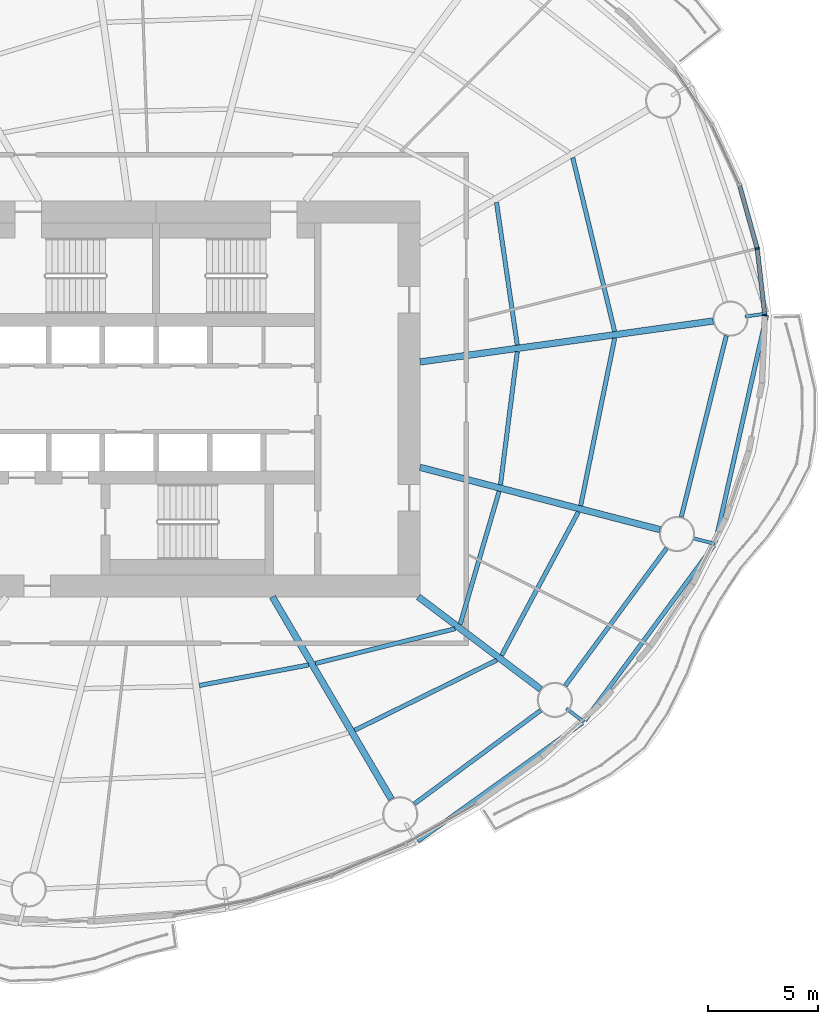
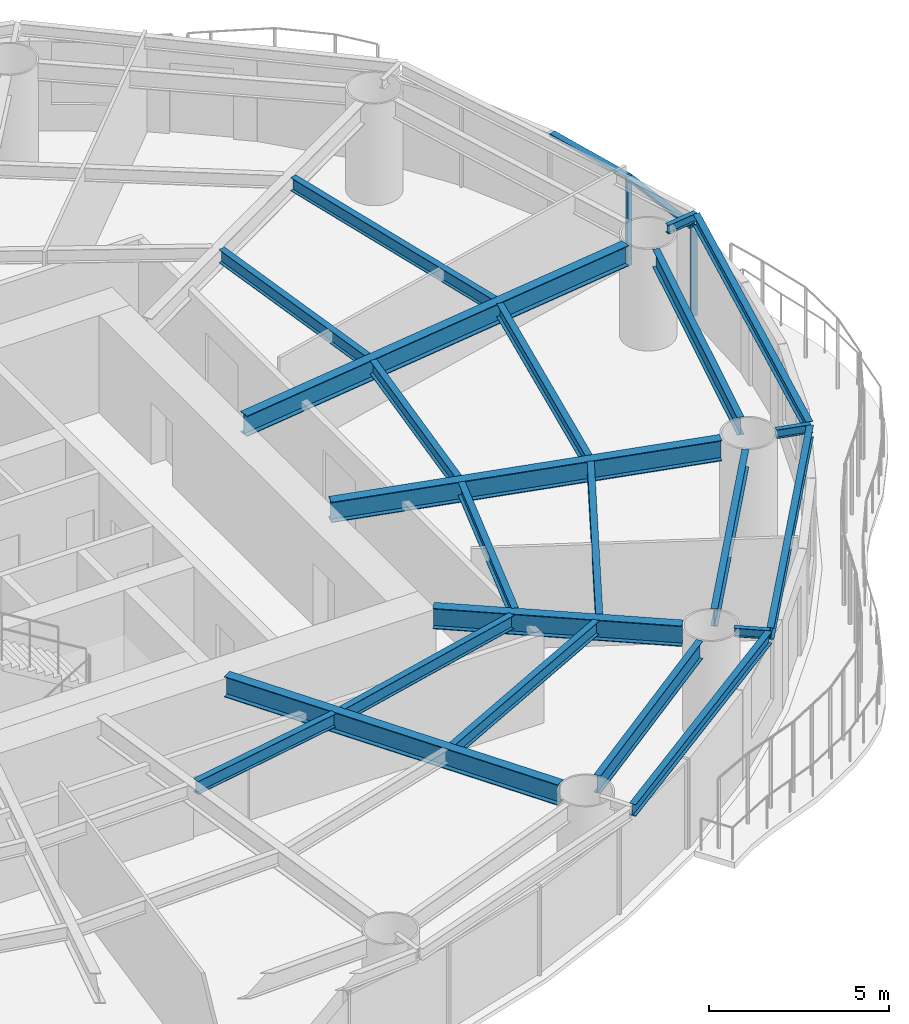
# One storey, part 4 of 16: 22 beams, 4 members, 2 elements without a shape of their own.
"""IFC4 building model written with IfcOpenShell, lengths in metres."""

import ifcopenshell
import ifcopenshell.guid

model = None  # the IFC model being written
_history = None  # IfcOwnerHistory: only IFC2X3 demands one
_inside = {}  # id of a spatial element -> (the spatial element, [elements in it])
_under = {}  # id of a project, library or spatial element -> (it, [spatial elements below it])
_declared = {}  # id of a project -> (the project, [libraries it declares])
_typed = {}  # id of a type object -> (the type object, [elements of that type])
_made_of = {}  # id of a material, layer set ... -> (it, [elements and type objects made of it])


def new_model(schema):
    """Start an empty IFC model of exactly this schema.

    Asked for "IFC4X3", IfcOpenShell would pick the latest addendum, in which some entities
    have other attributes; the version numbers below select the first issue.
    IFC2X3 requires an IfcOwnerHistory on every rooted entity: one is made here for all.
    """
    global model, _history
    if schema == "IFC4X3":
        model = ifcopenshell.file(schema_version=(4, 3, 0, 0))
    else:
        model = ifcopenshell.file(schema=schema)
    _inside.clear()
    _under.clear()
    _declared.clear()
    _typed.clear()
    _made_of.clear()
    _history = None
    if model.schema == "IFC2X3":
        org = make("IfcOrganization", Name="unknown")
        user = make(
            "IfcPersonAndOrganization",
            ThePerson=make("IfcPerson", FamilyName="unknown"),
            TheOrganization=org,
        )
        app = make(
            "IfcApplication",
            ApplicationDeveloper=org,
            Version="unknown",
            ApplicationFullName="unknown",
            ApplicationIdentifier="unknown",
        )
        _history = make(
            "IfcOwnerHistory",
            OwningUser=user,
            OwningApplication=app,
            ChangeAction="ADDED",
            CreationDate=0,
        )
    return model


def make(cls, **values):
    """One entity of the class cls with the attributes given. An attribute that is None is left unset."""
    return model.create_entity(
        cls, **{name: value for name, value in values.items() if value is not None}
    )


def rooted(cls, **values):
    """An entity with a GlobalId (a new one), such as an element, a storey or a relation."""
    return make(cls, GlobalId=ifcopenshell.guid.new(), OwnerHistory=_history, **values)


def si_unit(unit_type, name, prefix=None):
    """IfcSIUnit, for example si_unit("LENGTHUNIT", "METRE", prefix="MILLI")."""
    return make("IfcSIUnit", UnitType=unit_type, Prefix=prefix, Name=name)


def assignment(units):
    """IfcUnitAssignment: the units of a project."""
    return None if units is None else make("IfcUnitAssignment", Units=units)


def point(xyz):
    """IfcCartesianPoint."""
    return None if xyz is None else make("IfcCartesianPoint", Coordinates=xyz)


def direction(xyz):
    """IfcDirection."""
    return None if xyz is None else make("IfcDirection", DirectionRatios=xyz)


def frame(location, z_axis=None, x_axis=None):
    """IfcAxis2Placement3D, a coordinate frame: its origin and axes. An axis left out is left unset."""
    return make(
        "IfcAxis2Placement3D",
        Location=point(location),
        Axis=direction(z_axis),
        RefDirection=direction(x_axis),
    )


def frame_2d(location, x_axis=None):
    """IfcAxis2Placement2D, a coordinate frame in the plane: its origin and x axis."""
    return make(
        "IfcAxis2Placement2D", Location=point(location), RefDirection=direction(x_axis)
    )


def origin():
    """The frame at (0, 0, 0) with its axes left unset."""
    return frame((0.0, 0.0, 0.0))


def origin_2d():
    """The frame at (0, 0) in the plane with its x axis left unset."""
    return frame_2d((0.0, 0.0))


def place(relative_to, where):
    """IfcLocalPlacement: puts the frame where relative to a parent placement (None: the world)."""
    return make(
        "IfcLocalPlacement", PlacementRelTo=relative_to, RelativePlacement=where
    )


def context(
    kind, dimensions, precision=None, world=None, true_north=None, identifier=None
):
    """IfcGeometricRepresentationContext, for example the 3D "Model" context."""
    return make(
        "IfcGeometricRepresentationContext",
        ContextIdentifier=identifier,
        ContextType=kind,
        CoordinateSpaceDimension=dimensions,
        Precision=precision,
        WorldCoordinateSystem=world,
        TrueNorth=true_north,
    )


def subcontext(parent, identifier, kind, view, scale=None):
    """IfcGeometricRepresentationSubContext, for example "Body" below "Model"."""
    return make(
        "IfcGeometricRepresentationSubContext",
        ContextIdentifier=identifier,
        ContextType=kind,
        ParentContext=parent,
        TargetScale=scale,
        TargetView=view,
    )


def project(units=None, contexts=None):
    """IfcProject with its units and contexts."""
    return rooted(
        "IfcProject",
        Name="project",
        RepresentationContexts=contexts,
        UnitsInContext=assignment(units),
    )


def spatial(cls, under=None, at=None, **own):
    """A site, building, storey or space (cls), placed at a placement, below another one or the project."""
    s = rooted(cls, ObjectPlacement=at, **own)
    if under is not None:
        _under.setdefault(under.id(), (under, []))[1].append(s)
    return s


def profile(cls, at=None, kind="AREA", **sizes):
    """A parametric profile (cls). Its sizes go by their IFC names, for example OverallWidth=200.0."""
    return make(cls, ProfileType=kind, Position=at, **sizes)


def rectangle(**sizes):
    """IfcRectangleProfileDef."""
    return profile("IfcRectangleProfileDef", **sizes)


def i_section(**sizes):
    """IfcIShapeProfileDef."""
    return profile("IfcIShapeProfileDef", **sizes)


def extrude(swept, where, along, depth):
    """IfcExtrudedAreaSolid: the profile swept, set in the frame where, extruded along a direction by depth."""
    return make(
        "IfcExtrudedAreaSolid",
        SweptArea=swept,
        Position=where,
        ExtrudedDirection=direction(along),
        Depth=depth,
    )


def shape(context_of_items, identifier, shape_type, items):
    """IfcShapeRepresentation: the items that make up one representation, for example the "Body"."""
    return make(
        "IfcShapeRepresentation",
        ContextOfItems=context_of_items,
        RepresentationIdentifier=identifier,
        RepresentationType=shape_type,
        Items=items,
    )


def material(Name=None, Category=None):
    """IfcMaterial."""
    return make("IfcMaterial", Name=Name, Category=Category)


def material_profile(
    of_material, cross_section, Name=None, Category=None, Priority=None
):
    """IfcMaterialProfile: a cross section and its material."""
    return make(
        "IfcMaterialProfile",
        Name=Name,
        Material=of_material,
        Profile=cross_section,
        Priority=Priority,
        Category=Category,
    )


def profile_set(profiles, Name=None, composite=None):
    """IfcMaterialProfileSet."""
    return make(
        "IfcMaterialProfileSet",
        Name=Name,
        MaterialProfiles=profiles,
        CompositeProfile=composite,
    )


def made_of(thing, what):
    """Note that an element or type object is made of a material, layer set ...; save() writes the relation."""
    if what is not None:
        _made_of.setdefault(what.id(), (what, []))[1].append(thing)
    return thing


def type_object(cls, material=None, **own):
    """A type object (cls), such as IfcWallType, which elements share."""
    return made_of(rooted(cls, **own), material)


def element(
    cls,
    number,
    at=None,
    inside=None,
    cuts=None,
    type_object=None,
    material=None,
    context=None,
    identifier="Body",
    shape_type=None,
    held_by="IfcProductDefinitionShape",
    body=None,
    shapes=None,
    **own,
):
    """One element of the class cls, such as IfcWall. Its Tag is "e" and its number.

    at: its placement. inside: the storey or other place that contains it. cuts: it is an
    opening in that element (IfcRelVoidsElement). A single representation is given by context,
    identifier, shape_type and body (its items); several are given by shapes. held_by: the class
    of the entity that holds the representations. save() writes the other relations.
    """
    e = rooted(cls, Tag="e%d" % number, ObjectPlacement=at, **own)
    if body is not None:
        shapes = [shape(context, identifier, shape_type, body)]
    if shapes is not None:
        e.Representation = make(held_by, Representations=shapes)
    if inside is not None:
        _inside.setdefault(inside.id(), (inside, []))[1].append(e)
    if cuts is not None:
        rooted(
            "IfcRelVoidsElement", RelatingBuildingElement=cuts, RelatedOpeningElement=e
        )
    if type_object is not None:
        _typed.setdefault(type_object.id(), (type_object, []))[1].append(e)
    return made_of(e, material)


def aggregate(whole, parts):
    """IfcRelAggregates: a whole, such as a stair, and the parts it consists of."""
    return rooted("IfcRelAggregates", RelatingObject=whole, RelatedObjects=parts)


def save(model, path):
    """Write the relations noted so far, then the file.

    IfcRelAggregates (storeys below a building ...), IfcRelContainedInSpatialStructure (elements
    in a storey), IfcRelDefinesByType, IfcRelAssociatesMaterial and IfcRelDeclares: one each for
    every whole, place, type object, material and project.
    """
    for whole, parts in _under.values():
        aggregate(whole, parts)
    for where, things in _inside.values():
        rooted(
            "IfcRelContainedInSpatialStructure",
            RelatedElements=things,
            RelatingStructure=where,
        )
    for kind, things in _typed.values():
        rooted("IfcRelDefinesByType", RelatedObjects=things, RelatingType=kind)
    for what, things in _made_of.values():
        rooted("IfcRelAssociatesMaterial", RelatedObjects=things, RelatingMaterial=what)
    for by, libraries in _declared.values():
        rooted("IfcRelDeclares", RelatingContext=by, RelatedDefinitions=libraries)
    model.write(path)


model = new_model("IFC4")

# Units and contexts
model_context = context("Model", 3, precision=1e-05, world=origin(), true_north=direction((0.0, 1.0)))
body_context = subcontext(model_context, "Body", "Model", "MODEL_VIEW")
ifc_project = project(units=[si_unit("LENGTHUNIT", "METRE"), si_unit("AREAUNIT", "SQUARE_METRE"), si_unit("VOLUMEUNIT", "CUBIC_METRE"), si_unit("PLANEANGLEUNIT", "RADIAN"), si_unit("MASSUNIT", "GRAM", prefix="KILO")], contexts=[model_context])

# Site, building, storey
site_placement = place(None, origin())
site = spatial("IfcSite", under=ifc_project, at=site_placement, CompositionType="ELEMENT")
building_placement = place(site_placement, origin())
building = spatial("IfcBuilding", under=site, at=building_placement, Name="Vermilion Reach Broadcast Tower", CompositionType="ELEMENT")
storey_placement = place(building_placement, frame((0.0, 0.0, 113.800048828125)))
storey = spatial("IfcBuildingStorey", under=building, at=storey_placement, Name="L26", CompositionType="ELEMENT", Elevation=113.800048828125)

# Beams
ifc_material_1 = material(Name="Steel S355J2", Category="steel")
ifc_material_profile_1 = material_profile(ifc_material_1, i_section(OverallWidth=0.199951171875, OverallDepth=0.39990234375, WebThickness=0.008056640625, FlangeThickness=0.012939453125, at=origin_2d()), Name="S355J2 HN 400x200x8x13")
ifc_profile_set_1 = profile_set([ifc_material_profile_1], Name="Steel S355J2")
beam_type_1 = type_object("IfcBeamType", Name="EB2 HN 400x200x8x13", PredefinedType="BEAM", material=ifc_profile_set_1)
beam_1_placement = place(storey_placement, frame((5.901611328125, -20.097412109375, 3.25), z_axis=(0.81207308866, 0.583555737419, 0.0), x_axis=(-0.583555737419, 0.81207308866, 0.0)))
element("IfcBeam", 1, at=beam_1_placement, inside=storey, type_object=beam_type_1, Name="Edge beam EB2-13", PredefinedType="BEAM", context=body_context, shape_type="SweptSolid", body=[
    extrude(i_section(OverallWidth=0.199951171875, OverallDepth=0.39990234375, WebThickness=0.008056640625, FlangeThickness=0.012939453125, at=origin_2d()), origin(), (0.0, 0.0, 1.0), 9.208251953125),
])
beam_2_placement = place(storey_placement, frame((13.487548828125, -14.61767578125, 3.25), z_axis=(0.593410406977, 0.804900049007, 0.0), x_axis=(-0.804900049007, 0.593410406977, 0.0)))
element("IfcBeam", 2, at=beam_2_placement, inside=storey, type_object=beam_type_1, Name="Edge beam EB2-14", PredefinedType="BEAM", context=body_context, shape_type="SweptSolid", body=[
    extrude(i_section(OverallWidth=0.199951171875, OverallDepth=0.39990234375, WebThickness=0.008056640625, FlangeThickness=0.012939453125, at=origin_2d()), origin(), (0.0, 0.0, 1.0), 9.888427734375),
])
beam_3_placement = place(storey_placement, frame((19.419921875, -6.520263671875, 3.25), z_axis=(0.219840057839, 0.975535929102, 0.0), x_axis=(-0.975535929102, 0.219840057839, 0.0)))
element("IfcBeam", 3, at=beam_3_placement, inside=storey, type_object=beam_type_1, Name="Edge beam EB2-15", PredefinedType="BEAM", context=body_context, shape_type="SweptSolid", body=[
    extrude(i_section(OverallWidth=0.199951171875, OverallDepth=0.39990234375, WebThickness=0.008056640625, FlangeThickness=0.012939453125, at=origin_2d()), origin(), (0.0, 0.0, 1.0), 10.577880859375),
])
ifc_material_2 = material(Name="Steel S355J2", Category="steel")
ifc_material_profile_2 = material_profile(ifc_material_2, i_section(OverallWidth=0.300048828125, OverallDepth=0.699951171875, WebThickness=0.012939453125, FlangeThickness=0.02392578125, at=origin_2d()), Name="S355J2 HN 700x300x13x24")
ifc_profile_set_2 = profile_set([ifc_material_profile_2], Name="Steel S355J2")
beam_type_2 = type_object("IfcBeamType", Name="G2 HN 700x300x13x24", PredefinedType="BEAM", material=ifc_profile_set_2)
beam_4_placement = place(storey_placement, frame((-0.709228515625, -9.0, 3.099853515625), z_axis=(0.506783943634, -0.862073102744, 0.0), x_axis=(0.862073102744, 0.506783943634, 0.0)))
element("IfcBeam", 4, at=beam_4_placement, inside=storey, type_object=beam_type_2, Name="Girder G2-13", PredefinedType="BEAM", context=body_context, shape_type="SweptSolid", body=[
    extrude(i_section(OverallWidth=0.300048828125, OverallDepth=0.699951171875, WebThickness=0.012939453125, FlangeThickness=0.02392578125, at=origin_2d()), origin(), (0.0, 0.0, 1.0), 10.661865234375),
])
beam_5_placement = place(storey_placement, frame((5.921630859375, -9.0, 3.099853515625), z_axis=(0.798113534072, -0.602507084382, 0.0), x_axis=(0.602507084382, 0.798113534072, 0.0)))
element("IfcBeam", 5, at=beam_5_placement, inside=storey, type_object=beam_type_2, Name="Girder G2-14", PredefinedType="BEAM", context=body_context, shape_type="SweptSolid", body=[
    extrude(i_section(OverallWidth=0.300048828125, OverallDepth=0.699951171875, WebThickness=0.012939453125, FlangeThickness=0.02392578125, at=origin_2d()), origin(), (0.0, 0.0, 1.0), 6.971923828125),
])
beam_6_placement = place(storey_placement, frame((6.0, -3.114501953125, 3.099853515625), z_axis=(0.967926079816, -0.2512351568, 0.0), x_axis=(0.2512351568, 0.967926079816, 0.0)))
element("IfcBeam", 6, at=beam_6_placement, inside=storey, type_object=beam_type_2, Name="Girder G2-15", PredefinedType="BEAM", context=body_context, shape_type="SweptSolid", body=[
    extrude(i_section(OverallWidth=0.300048828125, OverallDepth=0.699951171875, WebThickness=0.012939453125, FlangeThickness=0.02392578125, at=origin_2d()), origin(), (0.0, 0.0, 1.0), 11.265625),
])
beam_7_placement = place(storey_placement, frame((6.0, 1.67578125, 3.099853515625), z_axis=(0.990389457618, 0.138306623986, 0.0), x_axis=(-0.138306623986, 0.990389457618, 0.0)))
element("IfcBeam", 7, at=beam_7_placement, inside=storey, type_object=beam_type_2, Name="Girder G2-16", PredefinedType="BEAM", context=body_context, shape_type="SweptSolid", body=[
    extrude(i_section(OverallWidth=0.300048828125, OverallDepth=0.699951171875, WebThickness=0.012939453125, FlangeThickness=0.02392578125, at=origin_2d()), origin(), (0.0, 0.0, 1.0), 13.445556640625),
])
ifc_material_3 = material(Name="Steel S355J2", Category="steel")
ifc_material_profile_3 = material_profile(ifc_material_3, i_section(OverallWidth=0.14990234375, OverallDepth=0.300048828125, WebThickness=0.006591796875, FlangeThickness=0.009033203125, at=origin_2d()), Name="S355J2 HN 300x150x6.5x9")
ifc_profile_set_3 = profile_set([ifc_material_profile_3], Name="Steel S355J2")
beam_type_3 = type_object("IfcBeamType", Name="GS2 HN 300x150x6.5x9", PredefinedType="BEAM", material=ifc_profile_set_3)
for number, where, z_axis, x_axis, name in (
    (8, (12.64501953125, -14.075439453125, 3.300048828125), (0.798091683473, -0.602536027779, 0.0), (0.602536027779, 0.798091683473, 0.0), "Cantilever stub GS2-14"),
    (9, (18.435546875, -6.34228515625, 3.300048828125), (0.967935368459, -0.251199368006, 0.0), (0.251199368006, 0.967935368459, 0.0), "Cantilever stub GS2-15"),
    (10, (20.7724609375, 3.73876953125, 3.300048828125), (0.990374567622, 0.138413206764, 0.0), (-0.138413206764, 0.990374567622, 0.0), "Cantilever stub GS2-16"),
):
    element("IfcBeam", number, at=place(storey_placement, frame(where, z_axis=z_axis, x_axis=x_axis)), inside=storey, type_object=beam_type_3, Name=name, PredefinedType="BEAM", context=body_context, shape_type="SweptSolid", body=[
        extrude(i_section(OverallWidth=0.14990234375, OverallDepth=0.300048828125, WebThickness=0.006591796875, FlangeThickness=0.009033203125, at=origin_2d()), origin(), (0.0, 0.0, 1.0), 1.0),
    ])
ifc_material_4 = material(Name="Steel S355J2", Category="steel")
ifc_material_profile_4 = material_profile(ifc_material_4, i_section(OverallWidth=0.199951171875, OverallDepth=0.60009765625, WebThickness=0.010986328125, FlangeThickness=0.01708984375, at=origin_2d()), Name="S355J2 HN 600x200x11x17")
ifc_profile_set_4 = profile_set([ifc_material_profile_4], Name="Steel S355J2")
beam_type_4 = type_object("IfcBeamType", Name="RB2 HN 600x200x11x17", PredefinedType="BEAM", material=ifc_profile_set_4)
beam_8_placement = place(storey_placement, frame((5.74267578125, -18.4052734375, 3.14990234375), z_axis=(0.803832742218, 0.594855379515, 0.0), x_axis=(-0.594855379515, 0.803832742218, 0.0)))
element("IfcBeam", 11, at=beam_8_placement, inside=storey, type_object=beam_type_4, Name="Ring beam RB2-13", PredefinedType="BEAM", context=body_context, shape_type="SweptSolid", body=[
    extrude(i_section(OverallWidth=0.199951171875, OverallDepth=0.60009765625, WebThickness=0.010986328125, FlangeThickness=0.01708984375, at=origin_2d()), origin(), (0.0, 0.0, 1.0), 7.13916015625),
])
beam_9_placement = place(storey_placement, frame((12.59912109375, -13.03857421875, 3.14990234375), z_axis=(0.593250534798, 0.80501788984, 0.0), x_axis=(-0.80501788984, 0.593250534798, 0.0)))
element("IfcBeam", 12, at=beam_9_placement, inside=storey, type_object=beam_type_4, Name="Ring beam RB2-14", PredefinedType="BEAM", context=body_context, shape_type="SweptSolid", body=[
    extrude(i_section(OverallWidth=0.199951171875, OverallDepth=0.60009765625, WebThickness=0.010986328125, FlangeThickness=0.01708984375, at=origin_2d()), origin(), (0.0, 0.0, 1.0), 7.76220703125),
])
beam_10_placement = place(storey_placement, frame((17.871337890625, -5.369384765625, 3.14990234375), z_axis=(0.240863809798, 0.970558924089, 0.0), x_axis=(-0.970558924089, 0.240863809798, 0.0)))
element("IfcBeam", 13, at=beam_10_placement, inside=storey, type_object=beam_type_4, Name="Ring beam RB2-15", PredefinedType="BEAM", context=body_context, shape_type="SweptSolid", body=[
    extrude(i_section(OverallWidth=0.199951171875, OverallDepth=0.60009765625, WebThickness=0.010986328125, FlangeThickness=0.01708984375, at=origin_2d()), origin(), (0.0, 0.0, 1.0), 8.489013671875),
])
ifc_material_5 = material(Name="Steel S355J2", Category="steel")
ifc_material_profile_5 = material_profile(ifc_material_5, i_section(OverallWidth=0.199951171875, OverallDepth=0.449951171875, WebThickness=0.009033203125, FlangeThickness=0.013916015625, at=origin_2d()), Name="S355J2 HN 450x200x9x14")
ifc_profile_set_5 = profile_set([ifc_material_profile_5], Name="Steel S355J2")
beam_type_5 = type_object("IfcBeamType", Name="SB2 HN 450x200x9x14", PredefinedType="BEAM", material=ifc_profile_set_5)
beam_11_placement = place(storey_placement, frame((-4.029296875, -13.026611328125, 3.224853515625), z_axis=(0.982782890015, 0.184764149915, 0.0), x_axis=(-0.184764149915, 0.982782890015, 0.0)))
element("IfcBeam", 14, at=beam_11_placement, inside=storey, type_object=beam_type_5, Name="Secondary beam SB2-12-1", PredefinedType="BEAM", context=body_context, shape_type="SweptSolid", body=[
    extrude(i_section(OverallWidth=0.199951171875, OverallDepth=0.449951171875, WebThickness=0.009033203125, FlangeThickness=0.013916015625, at=origin_2d()), origin(), (0.0, 0.0, 1.0), 5.051513671875),
])
beam_12_placement = place(storey_placement, frame((1.24365234375, -12.026123046875, 3.224853515625), z_axis=(0.970396717612, 0.241516480695, 0.0), x_axis=(-0.241516480695, 0.970396717612, 0.0)))
element("IfcBeam", 15, at=beam_12_placement, inside=storey, type_object=beam_type_5, Name="Secondary beam SB2-13-1", PredefinedType="BEAM", context=body_context, shape_type="SweptSolid", body=[
    extrude(i_section(OverallWidth=0.199951171875, OverallDepth=0.449951171875, WebThickness=0.009033203125, FlangeThickness=0.013916015625, at=origin_2d()), origin(), (0.0, 0.0, 1.0), 6.539306640625),
])
beam_13_placement = place(storey_placement, frame((3.02783203125, -15.06103515625, 3.224853515625), z_axis=(0.896648255868, 0.442743611189, 0.0), x_axis=(-0.442743611189, 0.896648255868, 0.0)))
element("IfcBeam", 16, at=beam_13_placement, inside=storey, type_object=beam_type_5, Name="Secondary beam SB2-13-2", PredefinedType="BEAM", context=body_context, shape_type="SweptSolid", body=[
    extrude(i_section(OverallWidth=0.199951171875, OverallDepth=0.449951171875, WebThickness=0.009033203125, FlangeThickness=0.013916015625, at=origin_2d()), origin(), (0.0, 0.0, 1.0), 7.19677734375),
])
beam_14_placement = place(storey_placement, frame((7.821533203125, -10.246337890625, 3.224853515625), z_axis=(0.281175657723, 0.959656318431, 0.0), x_axis=(-0.959656318431, 0.281175657723, 0.0)))
element("IfcBeam", 17, at=beam_14_placement, inside=storey, type_object=beam_type_5, Name="Secondary beam SB2-14-1", PredefinedType="BEAM", context=body_context, shape_type="SweptSolid", body=[
    extrude(i_section(OverallWidth=0.199951171875, OverallDepth=0.449951171875, WebThickness=0.009033203125, FlangeThickness=0.013916015625, at=origin_2d()), origin(), (0.0, 0.0, 1.0), 6.298583984375),
])
beam_15_placement = place(storey_placement, frame((9.702880859375, -11.66650390625, 3.224853515625), z_axis=(0.471821551693, 0.881694064491, 0.0), x_axis=(-0.881694064491, 0.471821551693, 0.0)))
element("IfcBeam", 18, at=beam_15_placement, inside=storey, type_object=beam_type_5, Name="Secondary beam SB2-14-2", PredefinedType="BEAM", context=body_context, shape_type="SweptSolid", body=[
    extrude(i_section(OverallWidth=0.199951171875, OverallDepth=0.449951171875, WebThickness=0.009033203125, FlangeThickness=0.013916015625, at=origin_2d()), origin(), (0.0, 0.0, 1.0), 7.405029296875),
])
beam_16_placement = place(storey_placement, frame((9.65380859375, -3.907958984375, 3.224853515625), z_axis=(0.125557241128, 0.992086376885, 0.0), x_axis=(-0.992086376885, 0.125557241128, 0.0)))
element("IfcBeam", 19, at=beam_16_placement, inside=storey, type_object=beam_type_5, Name="Secondary beam SB2-15-1", PredefinedType="BEAM", context=body_context, shape_type="SweptSolid", body=[
    extrude(i_section(OverallWidth=0.199951171875, OverallDepth=0.449951171875, WebThickness=0.009033203125, FlangeThickness=0.013916015625, at=origin_2d()), origin(), (0.0, 0.0, 1.0), 6.097900390625),
])
beam_17_placement = place(storey_placement, frame((13.29931640625, -4.854248046875, 3.224853515625), z_axis=(0.19906416804, 0.979986457561, 0.0), x_axis=(-0.979986457561, 0.19906416804, 0.0)))
element("IfcBeam", 20, at=beam_17_placement, inside=storey, type_object=beam_type_5, Name="Secondary beam SB2-15-2", PredefinedType="BEAM", context=body_context, shape_type="SweptSolid", body=[
    extrude(i_section(OverallWidth=0.199951171875, OverallDepth=0.449951171875, WebThickness=0.009033203125, FlangeThickness=0.013916015625, at=origin_2d()), origin(), (0.0, 0.0, 1.0), 7.76953125),
])
beam_18_placement = place(storey_placement, frame((10.417236328125, 2.444091796875, 3.224853515625), z_axis=(-0.143973706518, 0.989581513485, 0.0), x_axis=(-0.989581513485, -0.143973706518, 0.0)))
element("IfcBeam", 21, at=beam_18_placement, inside=storey, type_object=beam_type_5, Name="Secondary beam SB2-16-1", PredefinedType="BEAM", context=body_context, shape_type="SweptSolid", body=[
    extrude(i_section(OverallWidth=0.199951171875, OverallDepth=0.449951171875, WebThickness=0.009033203125, FlangeThickness=0.013916015625, at=origin_2d()), origin(), (0.0, 0.0, 1.0), 6.547119140625),
])
beam_19_placement = place(storey_placement, frame((14.84228515625, 3.06201171875, 3.224853515625), z_axis=(-0.234260568382, 0.972173845617, 0.0), x_axis=(-0.972173845617, -0.234260568382, 0.0)))
element("IfcBeam", 22, at=beam_19_placement, inside=storey, type_object=beam_type_5, Name="Secondary beam SB2-16-2", PredefinedType="BEAM", context=body_context, shape_type="SweptSolid", body=[
    extrude(i_section(OverallWidth=0.199951171875, OverallDepth=0.449951171875, WebThickness=0.009033203125, FlangeThickness=0.013916015625, at=origin_2d()), origin(), (0.0, 0.0, 1.0), 8.123779296875),
])

# Curtain wall, member
ifc_material_6 = material(Name="Low-e laminated clear glass in aluminium frame", Category="aluminium")
curtain_wall_type = type_object("IfcCurtainWallType", Name="Slot curtain wall", PredefinedType="NOTDEFINED", material=ifc_material_6)
placement = place(storey_placement, origin())
curtain_wall_1 = element("IfcCurtainWall", 23, at=placement, inside=storey, type_object=curtain_wall_type, Name="Slot curtain wall L26 46", PredefinedType="NOTDEFINED")
ifc_material_7 = material(Name="Anodised aluminium", Category="aluminium")
ifc_material_profile_6 = material_profile(ifc_material_7, rectangle(XDim=0.199951171875, YDim=0.080078125, at=origin_2d()), Name="Slot mullion 80 x 200")
ifc_profile_set_6 = profile_set([ifc_material_profile_6], Name="Anodised aluminium")
member_type_1 = type_object("IfcMemberType", Name="Slot mullion 80 x 200", PredefinedType="MULLION", material=ifc_profile_set_6)
member_1_placement = place(storey_placement, frame((21.6650390625, 3.80810546875, 0.0), z_axis=(0.0, 0.0, 1.0), x_axis=(-0.999336957499, -0.036409413285, 0.0)))
member_1 = element("IfcMember", 24, at=member_1_placement, type_object=member_type_1, Name="Slot mullion L26 46", PredefinedType="MULLION", context=body_context, shape_type="SweptSolid", body=[
    extrude(rectangle(XDim=0.199951171875, YDim=0.080078125, at=origin_2d()), origin(), (0.0, 0.0, 1.0), 3.050048828125),
])

curtain_wall_2 = element("IfcCurtainWall", 25, at=placement, inside=storey, type_object=curtain_wall_type, Name="Slot curtain wall L26 47", PredefinedType="NOTDEFINED")
member_2_placement = place(storey_placement, frame((21.320068359375, 6.8291015625, 0.0), z_axis=(0.0, 0.0, 1.0), x_axis=(-0.981456529372, -0.191684847999, 0.0)))
member_2 = element("IfcMember", 26, at=member_2_placement, type_object=member_type_1, Name="Slot mullion L26 47", PredefinedType="MULLION", context=body_context, shape_type="SweptSolid", body=[
    extrude(rectangle(XDim=0.199951171875, YDim=0.080078125, at=origin_2d()), origin(), (0.0, 0.0, 1.0), 3.050048828125),
])

# Member
ifc_material_8 = material(Name="Anodised aluminium", Category="aluminium")
ifc_material_profile_7 = material_profile(ifc_material_8, rectangle(XDim=0.199951171875, YDim=0.10009765625, at=origin_2d()), Name="Slot transom 200 x 100")
ifc_profile_set_7 = profile_set([ifc_material_profile_7], Name="Anodised aluminium")
member_type_2 = type_object("IfcMemberType", Name="Slot transom 200 x 100", PredefinedType="USERDEFINED", material=ifc_profile_set_7)
member_3_placement = place(storey_placement, frame((21.66064453125, 3.847900390625, 3.0), z_axis=(-0.113472166132, 0.99354117555, 0.0), x_axis=(-0.99354117555, -0.113472166132, 0.0)))
member_3 = element("IfcMember", 27, at=member_3_placement, type_object=member_type_2, Name="Slot transom L26 46.1", ObjectType="TRANSOM", PredefinedType="USERDEFINED", context=body_context, shape_type="SweptSolid", body=[
    extrude(rectangle(XDim=0.199951171875, YDim=0.10009765625, at=origin_2d()), origin(), (0.0, 0.0, 1.0), 2.96044921875),
])

aggregate(curtain_wall_1, [member_1, member_3])

member_4_placement = place(storey_placement, frame((21.309326171875, 6.86767578125, 3.0), z_axis=(-0.268716399041, 0.963219339967, 0.0), x_axis=(-0.963219339967, -0.268716399041, 0.0)))
member_4 = element("IfcMember", 28, at=member_4_placement, type_object=member_type_2, Name="Slot transom L26 47.1", ObjectType="TRANSOM", PredefinedType="USERDEFINED", context=body_context, shape_type="SweptSolid", body=[
    extrude(rectangle(XDim=0.199951171875, YDim=0.10009765625, at=origin_2d()), origin(), (0.0, 0.0, 1.0), 2.9345703125),
])

aggregate(curtain_wall_2, [member_2, member_4])

save(model, "model.ifc")
